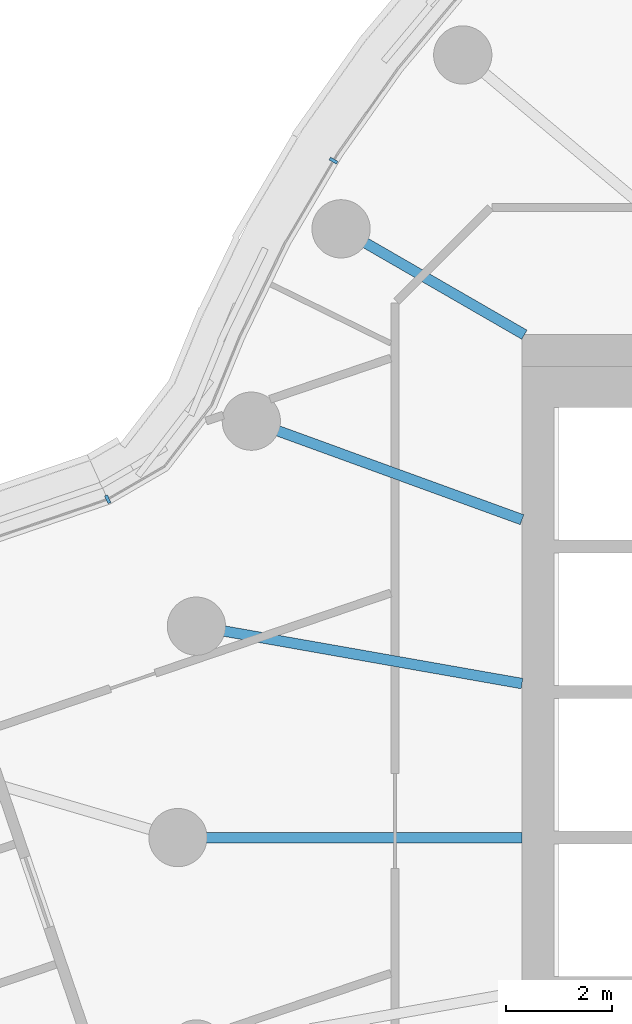
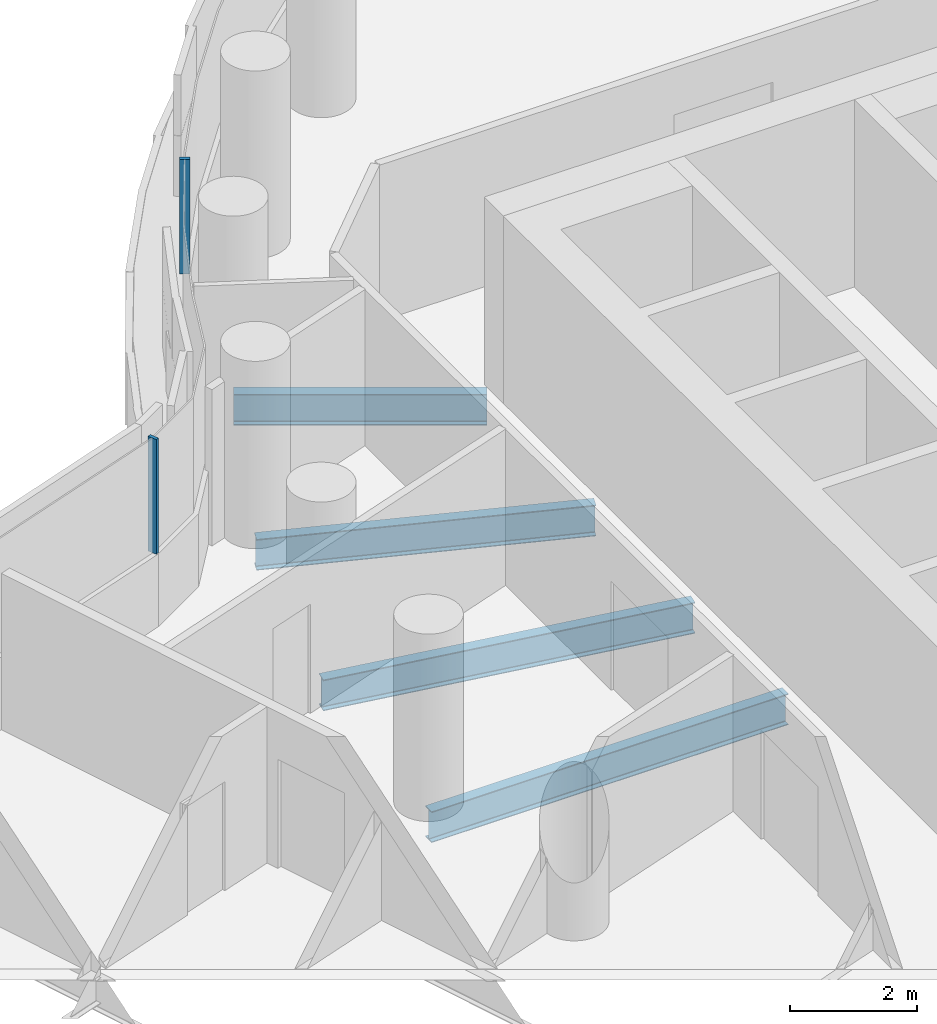
# One storey, part 7 of 29: 4 beams, 2 members, 2 elements without a shape of their own.
"""IFC4 building model written with IfcOpenShell, lengths in metres."""

from ifc_helpers import new_model, si_unit, direction, frame, origin, origin_2d, place, context, subcontext, project, spatial, rectangle, i_section, extrude, material, layer, layer_set, material_profile, profile_set, type_object, element, aggregate, save


model = new_model("IFC4")

# Units and contexts
model_context = context("Model", 3, precision=1e-05, world=origin(), true_north=direction((0.0, 1.0)))
body_context = subcontext(model_context, "Body", "Model", "MODEL_VIEW")
ifc_project = project(units=[si_unit("LENGTHUNIT", "METRE"), si_unit("AREAUNIT", "SQUARE_METRE"), si_unit("VOLUMEUNIT", "CUBIC_METRE"), si_unit("PLANEANGLEUNIT", "RADIAN"), si_unit("MASSUNIT", "GRAM", prefix="KILO")], contexts=[model_context])

# Site, building, storey
site_placement = place(None, origin())
site = spatial("IfcSite", under=ifc_project, at=site_placement, CompositionType="ELEMENT")
building_placement = place(site_placement, origin())
building = spatial("IfcBuilding", under=site, at=building_placement, Name="Tamarind Cross Interchange Tower", CompositionType="ELEMENT")
storey_placement = place(building_placement, frame((0.0, 0.0, 102.25)))
storey = spatial("IfcBuildingStorey", under=building, at=storey_placement, Name="L24", CompositionType="ELEMENT", Elevation=102.25)

# Beams
ifc_material_1 = material(Name="Steel Q355B", Category="steel")
ifc_material_profile_1 = material_profile(ifc_material_1, i_section(OverallWidth=0.198974609375, OverallDepth=0.595947265625, WebThickness=0.010009765625, FlangeThickness=0.014892578125, FilletRadius=0.012939453125, at=origin_2d()), Name="HN 596x199x10x15")
ifc_profile_set_1 = profile_set([ifc_material_profile_1], Name="Steel Q355B")
beam_type = type_object("IfcBeamType", Name="Composite beam HN 596x199x10x15 Q355B", PredefinedType="BEAM", material=ifc_profile_set_1)
beam_1_placement = place(storey_placement, frame((-19.918701171875, 11.5, -0.43798828125), z_axis=(0.866026010844, -0.49999894854, 0.0), x_axis=(0.49999894854, 0.866026010844, 0.0)))
element("IfcBeam", 1, at=beam_1_placement, inside=storey, type_object=beam_type, Name="Beam HH15", PredefinedType="BEAM", context=body_context, shape_type="SweptSolid", body=[
    extrude(i_section(OverallWidth=0.198974609375, OverallDepth=0.595947265625, WebThickness=0.010009765625, FlangeThickness=0.014892578125, FilletRadius=0.012939453125, at=origin_2d()), origin(), (0.0, 0.0, 1.0), 4.0),
])
beam_2_placement = place(storey_placement, frame((-21.613037109375, 7.866455078125, -0.43798828125), z_axis=(0.939701685589, -0.341995236956, 0.0), x_axis=(0.341995236956, 0.939701685589, 0.0)))
element("IfcBeam", 2, at=beam_2_placement, inside=storey, type_object=beam_type, Name="Beam HH16", PredefinedType="BEAM", context=body_context, shape_type="SweptSolid", body=[
    extrude(i_section(OverallWidth=0.198974609375, OverallDepth=0.595947265625, WebThickness=0.010009765625, FlangeThickness=0.014892578125, FilletRadius=0.012939453125, at=origin_2d()), origin(), (0.0, 0.0, 1.0), 5.441162109375),
])
beam_3_placement = place(storey_placement, frame((-22.650634765625, 3.993896484375, -0.43798828125), z_axis=(0.984809127561, -0.173640382036, 0.0), x_axis=(0.173640382036, 0.984809127561, 0.0)))
element("IfcBeam", 3, at=beam_3_placement, inside=storey, type_object=beam_type, Name="Beam HH17", PredefinedType="BEAM", context=body_context, shape_type="SweptSolid", body=[
    extrude(i_section(OverallWidth=0.198974609375, OverallDepth=0.595947265625, WebThickness=0.010009765625, FlangeThickness=0.014892578125, FilletRadius=0.012939453125, at=origin_2d()), origin(), (0.0, 0.0, 1.0), 6.24560546875),
])
beam_4_placement = place(storey_placement, frame((-23.0, 0.0, -0.43798828125), z_axis=(1.0, 0.0, 0.0), x_axis=(0.0, 1.0, 0.0)))
element("IfcBeam", 4, at=beam_4_placement, inside=storey, type_object=beam_type, Name="Beam HH18", PredefinedType="BEAM", context=body_context, shape_type="SweptSolid", body=[
    extrude(i_section(OverallWidth=0.198974609375, OverallDepth=0.595947265625, WebThickness=0.010009765625, FlangeThickness=0.014892578125, FilletRadius=0.012939453125, at=origin_2d()), origin(), (0.0, 0.0, 1.0), 6.5),
])

# Curtain wall, member
ifc_material_2 = material(Name="Aluminium 6063-T6", Category="aluminium")
ifc_layer = layer(ifc_material_2, 0.159912109375)
ifc_layer_set = layer_set([ifc_layer], Name="Aluminium 6063-T6")
curtain_wall_type = type_object("IfcCurtainWallType", Name="Office curtain wall, 9.0 m bays", PredefinedType="NOTDEFINED", material=ifc_layer_set)
curtain_wall_1_placement = place(storey_placement, origin())
curtain_wall_1 = element("IfcCurtainWall", 5, at=curtain_wall_1_placement, inside=storey, type_object=curtain_wall_type, Name="CWS-L24-14", PredefinedType="NOTDEFINED")
ifc_material_profile_2 = material_profile(ifc_material_2, rectangle(XDim=0.06005859375, YDim=0.159912109375, at=origin_2d()), Name="Mullion CW1")
ifc_profile_set_2 = profile_set([ifc_material_profile_2], Name="Aluminium 6063-T6")
member_type = type_object("IfcMemberType", Name="Mullion CW1", PredefinedType="MULLION", material=ifc_profile_set_2)
member_1_placement = place(storey_placement, frame((-20.060302734375, 12.787841796875, 1.39990234375), z_axis=(0.0, 0.0, 1.0), x_axis=(-0.508183308752, -0.861248933065, 0.0)))
member_1 = element("IfcMember", 6, at=member_1_placement, type_object=member_type, Name="CWM-L24-14-02", PredefinedType="MULLION", context=body_context, shape_type="SweptSolid", body=[
    extrude(rectangle(XDim=0.06005859375, YDim=0.159912109375, at=origin_2d()), origin(), (0.0, 0.0, 1.0), 2.210205078125),
])
aggregate(curtain_wall_1, [member_1])

curtain_wall_2_placement = place(storey_placement, origin())
curtain_wall_2 = element("IfcCurtainWall", 7, at=curtain_wall_2_placement, inside=storey, type_object=curtain_wall_type, Name="CWS-L24-15", PredefinedType="NOTDEFINED")
member_2_placement = place(storey_placement, frame((-24.326416015625, 6.391357421875, 1.39990234375), z_axis=(0.0, 0.0, 1.0), x_axis=(-0.910164954398, -0.414246008774, 0.0)))
member_2 = element("IfcMember", 8, at=member_2_placement, type_object=member_type, Name="CWM-L24-15-00", PredefinedType="MULLION", context=body_context, shape_type="SweptSolid", body=[
    extrude(rectangle(XDim=0.06005859375, YDim=0.159912109375, at=origin_2d()), origin(), (0.0, 0.0, 1.0), 2.210205078125),
])
aggregate(curtain_wall_2, [member_2])

save(model, "model.ifc")
